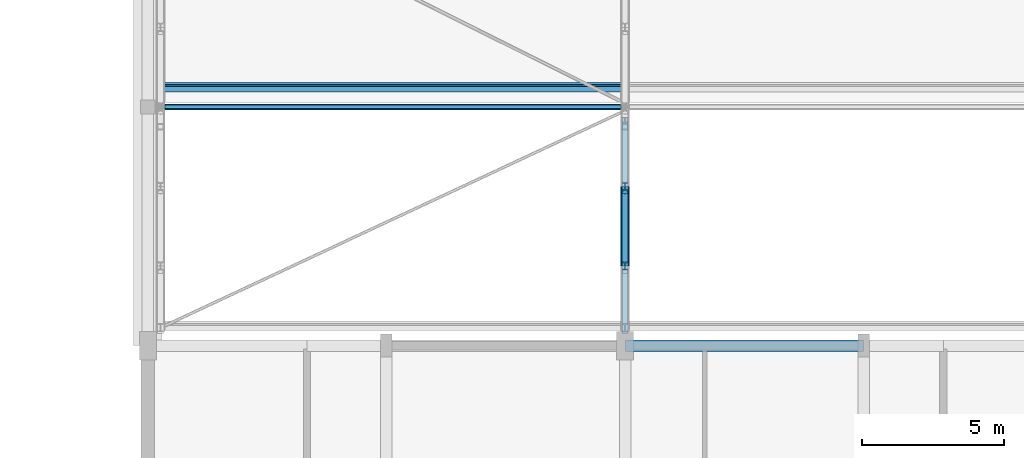
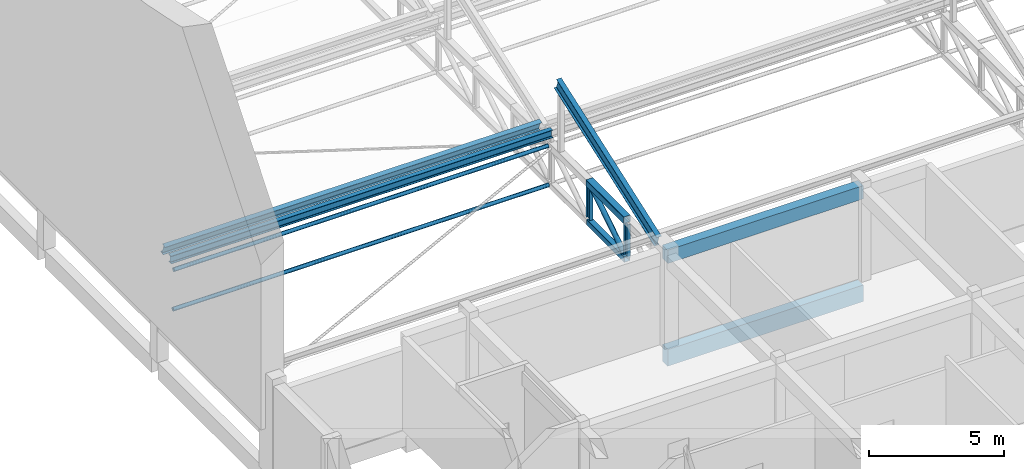
# One storey, part 10 of 101: 9 members, 3 beams.
"""IFC4 building model written with IfcOpenShell, lengths in metres."""

from ifc_helpers import new_model, si_unit, direction, frame, origin, origin_2d, place, context, subcontext, project, spatial, rectangle, hollow_rectangle, hollow_circle, i_section, extrude, material, material_profile, profile_set, type_object, element, save


model = new_model("IFC4")

# Units and contexts
model_context = context("Model", 3, precision=1e-05, world=origin(), true_north=direction((0.0, 1.0)))
body_context = subcontext(model_context, "Body", "Model", "MODEL_VIEW")
ifc_project = project(units=[si_unit("LENGTHUNIT", "METRE"), si_unit("AREAUNIT", "SQUARE_METRE"), si_unit("VOLUMEUNIT", "CUBIC_METRE"), si_unit("PLANEANGLEUNIT", "RADIAN"), si_unit("MASSUNIT", "GRAM", prefix="KILO")], contexts=[model_context])

# Site, building, storey
site_placement = place(None, origin())
site = spatial("IfcSite", under=ifc_project, at=site_placement, CompositionType="ELEMENT")
building_placement = place(site_placement, origin())
building = spatial("IfcBuilding", under=site, at=building_placement, Name="Fescue Hill Polytechnic", CompositionType="ELEMENT")
storey_placement = place(building_placement, frame((0.0, 0.0, 9.0)))
storey = spatial("IfcBuildingStorey", under=building, at=storey_placement, Name="L02", CompositionType="ELEMENT", Elevation=9.0)

# Beams
ifc_material_1 = material(Name="Concrete 35 MPa", Category="concrete")
ifc_material_profile_1 = material_profile(ifc_material_1, rectangle(XDim=0.39990234375, YDim=0.60009765625, at=origin_2d()), Name="RC 400x600")
ifc_profile_set_1 = profile_set([ifc_material_profile_1], Name="Concrete 35 MPa")
beam_type_1 = type_object("IfcBeamType", Name="Beam RC 400x600", PredefinedType="BEAM", material=ifc_profile_set_1)
beam_1_placement = place(storey_placement, frame((16.81005859375, 16.800048828125, 3.89990234375), z_axis=(1.0, 0.0, 0.0), x_axis=(0.0, 1.0, 0.0)))
element("IfcBeam", 1, at=beam_1_placement, inside=storey, type_object=beam_type_1, Name="BR-L02-0013", PredefinedType="BEAM", context=body_context, shape_type="SweptSolid", body=[
    extrude(rectangle(XDim=0.39990234375, YDim=0.60009765625, at=origin_2d()), origin(), (0.0, 0.0, 1.0), 8.3798828125),
])
ifc_material_profile_2 = material_profile(ifc_material_1, rectangle(XDim=0.39990234375, YDim=0.75, at=origin_2d()), Name="RC 400x750")
ifc_profile_set_2 = profile_set([ifc_material_profile_2], Name="Concrete 35 MPa")
beam_type_2 = type_object("IfcBeamType", Name="Beam RC 400x750", PredefinedType="BEAM", material=ifc_profile_set_2)
beam_2_placement = place(storey_placement, frame((16.81005859375, 16.800048828125, -0.675048828125), z_axis=(1.0, 0.0, 0.0), x_axis=(0.0, 1.0, 0.0)))
element("IfcBeam", 2, at=beam_2_placement, inside=storey, type_object=beam_type_2, Name="BM-L02-0044", PredefinedType="BEAM", context=body_context, shape_type="SweptSolid", body=[
    extrude(rectangle(XDim=0.39990234375, YDim=0.75, at=origin_2d()), origin(), (0.0, 0.0, 1.0), 8.3798828125),
])

# Members
ifc_material_2 = material(Name="Steel 350W (350 MPa)", Category="steel")
ifc_material_profile_3 = material_profile(ifc_material_2, hollow_rectangle(XDim=0.25390625, YDim=0.25390625, WallThickness=0.0126953125, InnerFilletRadius=0.0126953125, OuterFilletRadius=0.025390625, at=origin_2d()), Name="Hall truss bottom chord HSS 254x254x13")
ifc_profile_set_3 = profile_set([ifc_material_profile_3], Name="Steel 350W (350 MPa)")
member_type_1 = type_object("IfcMemberType", Name="Hall truss bottom chord HSS 254x254x13", PredefinedType="CHORD", material=ifc_profile_set_3)
member_1_placement = place(storey_placement, frame((16.800048828125, 19.60009765625, 2.0), z_axis=(0.0, 1.0, 0.0), x_axis=(-1.0, 0.0, 0.0)))
element("IfcMember", 3, at=member_1_placement, inside=storey, type_object=member_type_1, Name="Truss TR2 bottom chord 2", PredefinedType="CHORD", context=body_context, shape_type="SweptSolid", body=[
    extrude(hollow_rectangle(XDim=0.25390625, YDim=0.25390625, WallThickness=0.0126953125, InnerFilletRadius=0.0126953125, OuterFilletRadius=0.025390625, at=origin_2d()), origin(), (0.0, 0.0, 1.0), 2.7998046875),
])
ifc_material_profile_4 = material_profile(ifc_material_2, hollow_circle(Radius=0.109619140625, WallThickness=0.009521484375, at=origin_2d()), Name="Hall truss diagonal CHS 219x9.5")
ifc_profile_set_4 = profile_set([ifc_material_profile_4], Name="Steel 350W (350 MPa)")
member_type_2 = type_object("IfcMemberType", Name="Hall truss diagonal CHS 219x9.5", PredefinedType="BRACE", material=ifc_profile_set_4)
member_2_placement = place(storey_placement, frame((16.800048828125, 19.800048828125, 2.126953125), z_axis=(0.0, 0.847329350891, 0.531067765091), x_axis=(-1.0, 0.0, 0.0)))
element("IfcMember", 4, at=member_2_placement, inside=storey, type_object=member_type_2, Name="Truss TR2 diagonal 2", PredefinedType="BRACE", context=body_context, shape_type="SweptSolid", body=[
    extrude(hollow_circle(Radius=0.109619140625, WallThickness=0.009521484375, at=origin_2d()), origin(), (0.0, 0.0, 1.0), 2.832275390625),
])
ifc_material_profile_5 = material_profile(ifc_material_2, i_section(OverallWidth=0.14794921875, OverallDepth=0.26611328125, WebThickness=0.007568359375, FlangeThickness=0.012939453125, FilletRadius=0.013916015625, at=origin_2d()), Name="W250x45")
ifc_profile_set_5 = profile_set([ifc_material_profile_5], Name="Steel 350W (350 MPa)")
member_type_3 = type_object("IfcMemberType", Name="Hall truss post W250x45", PredefinedType="POST", material=ifc_profile_set_5)
for number, where, z_axis, x_axis, name in (
    (5, (16.800048828125, 19.60009765625, 2.126953125), (0.0, 0.0, 1.0), (1.0, 0.0, 0.0), "Truss TR2 post 2"),
    (6, (16.800048828125, 22.39990234375, 2.126953125), (0.0, 0.0, 1.0), (1.0, 0.0, 0.0), "Truss TR2 post 3"),
):
    element("IfcMember", number, at=place(storey_placement, frame(where, z_axis=z_axis, x_axis=x_axis)), inside=storey, type_object=member_type_3, Name=name, PredefinedType="POST", context=body_context, shape_type="SweptSolid", body=[
        extrude(i_section(OverallWidth=0.14794921875, OverallDepth=0.26611328125, WebThickness=0.007568359375, FlangeThickness=0.012939453125, FilletRadius=0.013916015625, at=origin_2d()), origin(), (0.0, 0.0, 1.0), 1.504150390625),
    ])
ifc_material_profile_6 = material_profile(ifc_material_2, hollow_circle(Radius=0.084228515625, WallThickness=0.009521484375, at=origin_2d()), Name="Hall truss tie strut CHS 168x9.5")
ifc_profile_set_6 = profile_set([ifc_material_profile_6], Name="Steel 350W (350 MPa)")
member_type_4 = type_object("IfcMemberType", Name="Hall truss tie strut CHS 168x9.5", PredefinedType="STRUT", material=ifc_profile_set_6)
member_3_placement = place(storey_placement, frame((0.602294921875, 25.199951171875, 3.783447265625), z_axis=(1.0, 0.0, 0.0), x_axis=(0.0, 1.0, 0.0)))
element("IfcMember", 7, at=member_3_placement, inside=storey, type_object=member_type_4, Name="Top chord tie strut bay 1 line 1", PredefinedType="STRUT", context=body_context, shape_type="SweptSolid", body=[
    extrude(hollow_circle(Radius=0.084228515625, WallThickness=0.009521484375, at=origin_2d()), origin(), (0.0, 0.0, 1.0), 16.04541015625),
])
member_4_placement = place(storey_placement, frame((0.576904296875, 25.199951171875, 2.0), z_axis=(1.0, 0.0, 0.0), x_axis=(0.0, 1.0, 0.0)))
element("IfcMember", 8, at=member_4_placement, inside=storey, type_object=member_type_4, Name="Bottom chord tie strut bay 1 line 1", PredefinedType="STRUT", context=body_context, shape_type="SweptSolid", body=[
    extrude(hollow_circle(Radius=0.084228515625, WallThickness=0.009521484375, at=origin_2d()), origin(), (0.0, 0.0, 1.0), 16.09619140625),
])
ifc_material_profile_7 = material_profile(ifc_material_2, hollow_rectangle(XDim=0.3046875, YDim=0.3046875, WallThickness=0.0126953125, InnerFilletRadius=0.0126953125, OuterFilletRadius=0.025390625, at=origin_2d()), Name="Hall truss top chord HSS 305x305x13")
ifc_profile_set_7 = profile_set([ifc_material_profile_7], Name="Steel 350W (350 MPa)")
member_type_5 = type_object("IfcMemberType", Name="Hall truss top chord HSS 305x305x13", PredefinedType="CHORD", material=ifc_profile_set_7)
member_5_placement = place(storey_placement, frame((16.800048828125, 19.60009765625, 3.783447265625), z_axis=(0.0, 1.0, 0.0), x_axis=(-1.0, 0.0, 0.0)))
element("IfcMember", 9, at=member_5_placement, inside=storey, type_object=member_type_5, Name="Truss TR2 top chord 2", PredefinedType="CHORD", context=body_context, shape_type="SweptSolid", body=[
    extrude(hollow_rectangle(XDim=0.3046875, YDim=0.3046875, WallThickness=0.0126953125, InnerFilletRadius=0.0126953125, OuterFilletRadius=0.025390625, at=origin_2d()), origin(), (0.0, 0.0, 1.0), 2.7998046875),
])
ifc_material_profile_8 = material_profile(ifc_material_2, i_section(OverallWidth=0.18994140625, OverallDepth=0.45703125, WebThickness=0.009033203125, FlangeThickness=0.014404296875, FilletRadius=0.0166015625, at=origin_2d()), Name="W460x74")
ifc_profile_set_8 = profile_set([ifc_material_profile_8], Name="Steel 350W (350 MPa)")
member_type_6 = type_object("IfcMemberType", Name="Tooth purlin W460x74", PredefinedType="PURLIN", material=ifc_profile_set_8)
member_6_placement = place(storey_placement, frame((0.554443359375, 25.89990234375, 4.294921875), z_axis=(1.0, 0.0, 0.0), x_axis=(0.0, 0.941741911595, 0.336336396997)))
element("IfcMember", 10, at=member_6_placement, inside=storey, type_object=member_type_6, Name="Tooth 2 purlin 1 bay 1", PredefinedType="PURLIN", context=body_context, shape_type="SweptSolid", body=[
    extrude(i_section(OverallWidth=0.18994140625, OverallDepth=0.45703125, WebThickness=0.009033203125, FlangeThickness=0.014404296875, FilletRadius=0.0166015625, at=origin_2d()), origin(), (0.0, 0.0, 1.0), 16.14111328125),
])
ifc_material_profile_9 = material_profile(ifc_material_2, i_section(OverallWidth=0.208984375, OverallDepth=0.532958984375, WebThickness=0.01025390625, FlangeThickness=0.015625, FilletRadius=0.016357421875, at=origin_2d()), Name="W530x92")
ifc_profile_set_9 = profile_set([ifc_material_profile_9], Name="Steel 350W (350 MPa)")
member_type_7 = type_object("IfcMemberType", Name="Tooth rafter W530x92", PredefinedType="RAFTER", material=ifc_profile_set_9)
member_7_placement = place(storey_placement, frame((16.800048828125, 17.310302734375, 4.18701171875), z_axis=(0.0, 0.941744009147, 0.336330523793), x_axis=(-1.0, 0.0, 0.0)))
element("IfcMember", 11, at=member_7_placement, inside=storey, type_object=member_type_7, Name="Tooth 1 rafter on TR2", PredefinedType="RAFTER", context=body_context, shape_type="SweptSolid", body=[
    extrude(i_section(OverallWidth=0.208984375, OverallDepth=0.532958984375, WebThickness=0.01025390625, FlangeThickness=0.015625, FilletRadius=0.016357421875, at=origin_2d()), origin(), (0.0, 0.0, 1.0), 7.89990234375),
])

# Beam
ifc_material_profile_10 = material_profile(ifc_material_2, i_section(OverallWidth=0.2041015625, OverallDepth=0.35009765625, WebThickness=0.008544921875, FlangeThickness=0.01513671875, FilletRadius=0.02197265625, at=origin_2d()), Name="W360x72")
ifc_profile_set_10 = profile_set([ifc_material_profile_10], Name="Steel 350W (350 MPa)")
beam_type_3 = type_object("IfcBeamType", Name="Valley gutter beam W360x72", PredefinedType="BEAM", material=ifc_profile_set_10)
beam_3_placement = place(storey_placement, frame((0.449951171875, 25.199951171875, 4.324951171875), z_axis=(1.0, 0.0, 0.0), x_axis=(0.0, 1.0, 0.0)))
element("IfcBeam", 12, at=beam_3_placement, inside=storey, type_object=beam_type_3, Name="Valley 2 gutter beam bay 1", PredefinedType="BEAM", context=body_context, shape_type="SweptSolid", body=[
    extrude(i_section(OverallWidth=0.2041015625, OverallDepth=0.35009765625, WebThickness=0.008544921875, FlangeThickness=0.01513671875, FilletRadius=0.02197265625, at=origin_2d()), origin(), (0.0, 0.0, 1.0), 16.35009765625),
])

save(model, "model.ifc")
